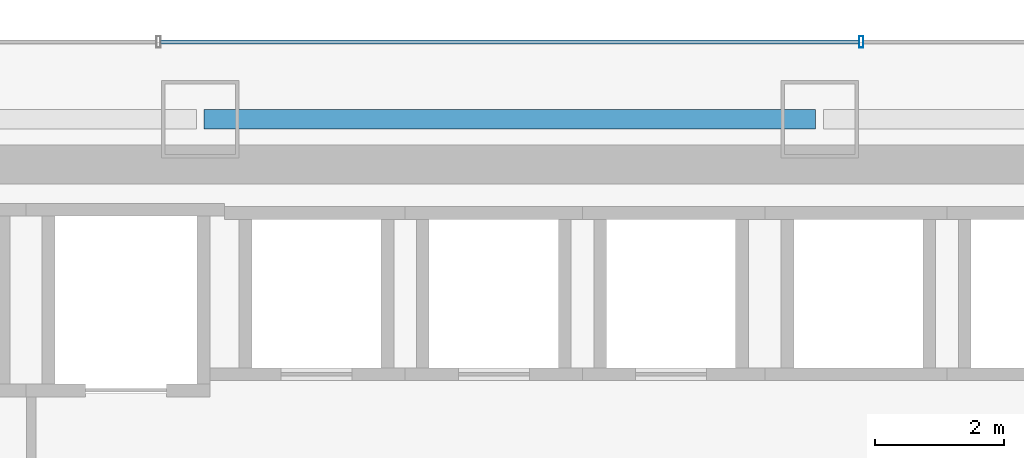
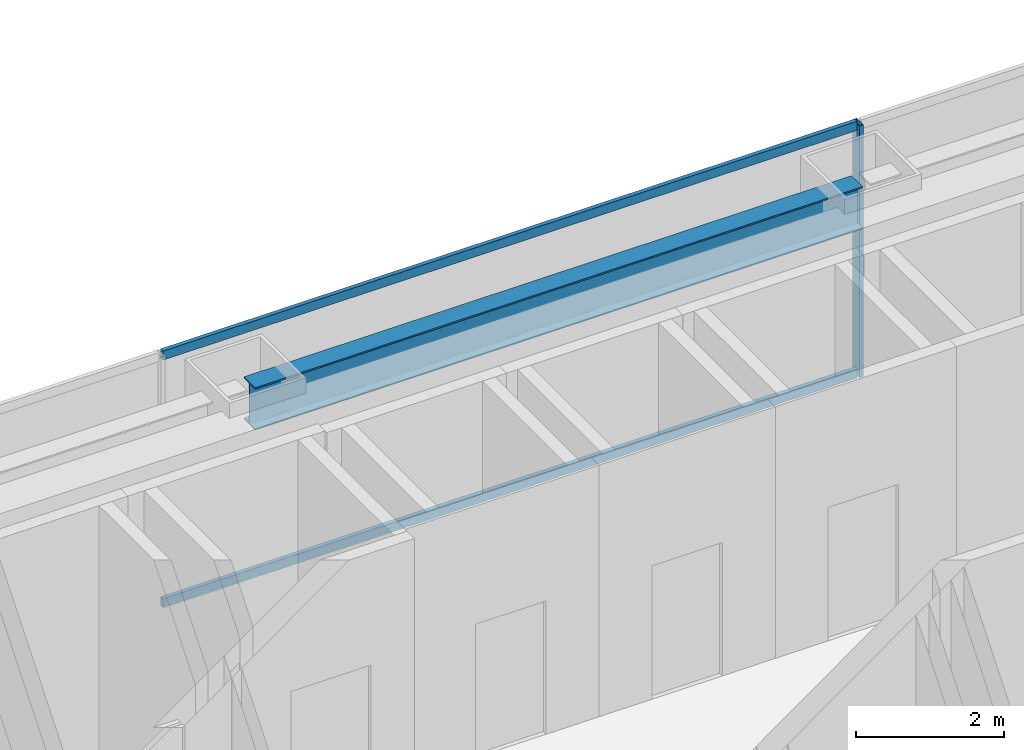
# One storey, part 28 of 47: 3 members, 1 beam, 1 element without a shape of its own.
"""IFC4 building model written with IfcOpenShell, lengths in metres."""

import ifcopenshell
import ifcopenshell.guid

model = None  # the IFC model being written
_history = None  # IfcOwnerHistory: only IFC2X3 demands one
_inside = {}  # id of a spatial element -> (the spatial element, [elements in it])
_under = {}  # id of a project, library or spatial element -> (it, [spatial elements below it])
_declared = {}  # id of a project -> (the project, [libraries it declares])
_typed = {}  # id of a type object -> (the type object, [elements of that type])
_made_of = {}  # id of a material, layer set ... -> (it, [elements and type objects made of it])


def new_model(schema):
    """Start an empty IFC model of exactly this schema.

    Asked for "IFC4X3", IfcOpenShell would pick the latest addendum, in which some entities
    have other attributes; the version numbers below select the first issue.
    IFC2X3 requires an IfcOwnerHistory on every rooted entity: one is made here for all.
    """
    global model, _history
    if schema == "IFC4X3":
        model = ifcopenshell.file(schema_version=(4, 3, 0, 0))
    else:
        model = ifcopenshell.file(schema=schema)
    _inside.clear()
    _under.clear()
    _declared.clear()
    _typed.clear()
    _made_of.clear()
    _history = None
    if model.schema == "IFC2X3":
        org = make("IfcOrganization", Name="unknown")
        user = make(
            "IfcPersonAndOrganization",
            ThePerson=make("IfcPerson", FamilyName="unknown"),
            TheOrganization=org,
        )
        app = make(
            "IfcApplication",
            ApplicationDeveloper=org,
            Version="unknown",
            ApplicationFullName="unknown",
            ApplicationIdentifier="unknown",
        )
        _history = make(
            "IfcOwnerHistory",
            OwningUser=user,
            OwningApplication=app,
            ChangeAction="ADDED",
            CreationDate=0,
        )
    return model


def make(cls, **values):
    """One entity of the class cls with the attributes given. An attribute that is None is left unset."""
    return model.create_entity(
        cls, **{name: value for name, value in values.items() if value is not None}
    )


def rooted(cls, **values):
    """An entity with a GlobalId (a new one), such as an element, a storey or a relation."""
    return make(cls, GlobalId=ifcopenshell.guid.new(), OwnerHistory=_history, **values)


def si_unit(unit_type, name, prefix=None):
    """IfcSIUnit, for example si_unit("LENGTHUNIT", "METRE", prefix="MILLI")."""
    return make("IfcSIUnit", UnitType=unit_type, Prefix=prefix, Name=name)


def assignment(units):
    """IfcUnitAssignment: the units of a project."""
    return None if units is None else make("IfcUnitAssignment", Units=units)


def point(xyz):
    """IfcCartesianPoint."""
    return None if xyz is None else make("IfcCartesianPoint", Coordinates=xyz)


def direction(xyz):
    """IfcDirection."""
    return None if xyz is None else make("IfcDirection", DirectionRatios=xyz)


def frame(location, z_axis=None, x_axis=None):
    """IfcAxis2Placement3D, a coordinate frame: its origin and axes. An axis left out is left unset."""
    return make(
        "IfcAxis2Placement3D",
        Location=point(location),
        Axis=direction(z_axis),
        RefDirection=direction(x_axis),
    )


def frame_2d(location, x_axis=None):
    """IfcAxis2Placement2D, a coordinate frame in the plane: its origin and x axis."""
    return make(
        "IfcAxis2Placement2D", Location=point(location), RefDirection=direction(x_axis)
    )


def origin():
    """The frame at (0, 0, 0) with its axes left unset."""
    return frame((0.0, 0.0, 0.0))


def origin_2d():
    """The frame at (0, 0) in the plane with its x axis left unset."""
    return frame_2d((0.0, 0.0))


def place(relative_to, where):
    """IfcLocalPlacement: puts the frame where relative to a parent placement (None: the world)."""
    return make(
        "IfcLocalPlacement", PlacementRelTo=relative_to, RelativePlacement=where
    )


def context(
    kind, dimensions, precision=None, world=None, true_north=None, identifier=None
):
    """IfcGeometricRepresentationContext, for example the 3D "Model" context."""
    return make(
        "IfcGeometricRepresentationContext",
        ContextIdentifier=identifier,
        ContextType=kind,
        CoordinateSpaceDimension=dimensions,
        Precision=precision,
        WorldCoordinateSystem=world,
        TrueNorth=true_north,
    )


def subcontext(parent, identifier, kind, view, scale=None):
    """IfcGeometricRepresentationSubContext, for example "Body" below "Model"."""
    return make(
        "IfcGeometricRepresentationSubContext",
        ContextIdentifier=identifier,
        ContextType=kind,
        ParentContext=parent,
        TargetScale=scale,
        TargetView=view,
    )


def project(units=None, contexts=None):
    """IfcProject with its units and contexts."""
    return rooted(
        "IfcProject",
        Name="project",
        RepresentationContexts=contexts,
        UnitsInContext=assignment(units),
    )


def spatial(cls, under=None, at=None, **own):
    """A site, building, storey or space (cls), placed at a placement, below another one or the project."""
    s = rooted(cls, ObjectPlacement=at, **own)
    if under is not None:
        _under.setdefault(under.id(), (under, []))[1].append(s)
    return s


def profile(cls, at=None, kind="AREA", **sizes):
    """A parametric profile (cls). Its sizes go by their IFC names, for example OverallWidth=200.0."""
    return make(cls, ProfileType=kind, Position=at, **sizes)


def hollow_rectangle(**sizes):
    """IfcRectangleHollowProfileDef."""
    return profile("IfcRectangleHollowProfileDef", **sizes)


def i_section(**sizes):
    """IfcIShapeProfileDef."""
    return profile("IfcIShapeProfileDef", **sizes)


def extrude(swept, where, along, depth):
    """IfcExtrudedAreaSolid: the profile swept, set in the frame where, extruded along a direction by depth."""
    return make(
        "IfcExtrudedAreaSolid",
        SweptArea=swept,
        Position=where,
        ExtrudedDirection=direction(along),
        Depth=depth,
    )


def shape(context_of_items, identifier, shape_type, items):
    """IfcShapeRepresentation: the items that make up one representation, for example the "Body"."""
    return make(
        "IfcShapeRepresentation",
        ContextOfItems=context_of_items,
        RepresentationIdentifier=identifier,
        RepresentationType=shape_type,
        Items=items,
    )


def material(Name=None, Category=None):
    """IfcMaterial."""
    return make("IfcMaterial", Name=Name, Category=Category)


def material_profile(
    of_material, cross_section, Name=None, Category=None, Priority=None
):
    """IfcMaterialProfile: a cross section and its material."""
    return make(
        "IfcMaterialProfile",
        Name=Name,
        Material=of_material,
        Profile=cross_section,
        Priority=Priority,
        Category=Category,
    )


def profile_set(profiles, Name=None, composite=None):
    """IfcMaterialProfileSet."""
    return make(
        "IfcMaterialProfileSet",
        Name=Name,
        MaterialProfiles=profiles,
        CompositeProfile=composite,
    )


def made_of(thing, what):
    """Note that an element or type object is made of a material, layer set ...; save() writes the relation."""
    if what is not None:
        _made_of.setdefault(what.id(), (what, []))[1].append(thing)
    return thing


def type_object(cls, material=None, **own):
    """A type object (cls), such as IfcWallType, which elements share."""
    return made_of(rooted(cls, **own), material)


def element(
    cls,
    number,
    at=None,
    inside=None,
    cuts=None,
    type_object=None,
    material=None,
    context=None,
    identifier="Body",
    shape_type=None,
    held_by="IfcProductDefinitionShape",
    body=None,
    shapes=None,
    **own,
):
    """One element of the class cls, such as IfcWall. Its Tag is "e" and its number.

    at: its placement. inside: the storey or other place that contains it. cuts: it is an
    opening in that element (IfcRelVoidsElement). A single representation is given by context,
    identifier, shape_type and body (its items); several are given by shapes. held_by: the class
    of the entity that holds the representations. save() writes the other relations.
    """
    e = rooted(cls, Tag="e%d" % number, ObjectPlacement=at, **own)
    if body is not None:
        shapes = [shape(context, identifier, shape_type, body)]
    if shapes is not None:
        e.Representation = make(held_by, Representations=shapes)
    if inside is not None:
        _inside.setdefault(inside.id(), (inside, []))[1].append(e)
    if cuts is not None:
        rooted(
            "IfcRelVoidsElement", RelatingBuildingElement=cuts, RelatedOpeningElement=e
        )
    if type_object is not None:
        _typed.setdefault(type_object.id(), (type_object, []))[1].append(e)
    return made_of(e, material)


def aggregate(whole, parts):
    """IfcRelAggregates: a whole, such as a stair, and the parts it consists of."""
    return rooted("IfcRelAggregates", RelatingObject=whole, RelatedObjects=parts)


def save(model, path):
    """Write the relations noted so far, then the file.

    IfcRelAggregates (storeys below a building ...), IfcRelContainedInSpatialStructure (elements
    in a storey), IfcRelDefinesByType, IfcRelAssociatesMaterial and IfcRelDeclares: one each for
    every whole, place, type object, material and project.
    """
    for whole, parts in _under.values():
        aggregate(whole, parts)
    for where, things in _inside.values():
        rooted(
            "IfcRelContainedInSpatialStructure",
            RelatedElements=things,
            RelatingStructure=where,
        )
    for kind, things in _typed.values():
        rooted("IfcRelDefinesByType", RelatedObjects=things, RelatingType=kind)
    for what, things in _made_of.values():
        rooted("IfcRelAssociatesMaterial", RelatedObjects=things, RelatingMaterial=what)
    for by, libraries in _declared.values():
        rooted("IfcRelDeclares", RelatingContext=by, RelatedDefinitions=libraries)
    model.write(path)


model = new_model("IFC4")

# Units and contexts
model_context = context("Model", 3, precision=1e-05, world=origin(), true_north=direction((0.0, 1.0)))
body_context = subcontext(model_context, "Body", "Model", "MODEL_VIEW")
ifc_project = project(units=[si_unit("LENGTHUNIT", "METRE"), si_unit("AREAUNIT", "SQUARE_METRE"), si_unit("VOLUMEUNIT", "CUBIC_METRE"), si_unit("PLANEANGLEUNIT", "RADIAN"), si_unit("MASSUNIT", "GRAM", prefix="KILO")], contexts=[model_context])

# Site, building, storey
site_placement = place(None, origin())
site = spatial("IfcSite", under=ifc_project, at=site_placement, CompositionType="ELEMENT")
building_placement = place(site_placement, origin())
building = spatial("IfcBuilding", under=site, at=building_placement, Name="Saevonmaru Cultural Tower", CompositionType="ELEMENT")
storey_placement = place(building_placement, frame((0.0, 0.0, 64.800048828125)))
storey = spatial("IfcBuildingStorey", under=building, at=storey_placement, Name="L13", CompositionType="ELEMENT", Elevation=64.800048828125)

# Beam
ifc_material_1 = material(Name="Steel SM355", Category="steel")
ifc_material_profile_1 = material_profile(ifc_material_1, i_section(OverallWidth=0.300048828125, OverallDepth=0.699951171875, WebThickness=0.012939453125, FlangeThickness=0.02392578125, FilletRadius=0.02587890625, at=origin_2d()), Name="H-700x300x13x24")
ifc_profile_set_1 = profile_set([ifc_material_profile_1], Name="Steel SM355")
beam_type = type_object("IfcBeamType", Name="BM-SP-H700", PredefinedType="SPANDREL", material=ifc_profile_set_1)
beam_placement = place(storey_placement, frame((25.260009765625, 54.800048828125, 3.800048828125), z_axis=(1.0, 0.0, 0.0), x_axis=(0.0, 1.0, 0.0)))
element("IfcBeam", 1, at=beam_placement, inside=storey, type_object=beam_type, Name="L13 North Spine Girder 3", PredefinedType="SPANDREL", context=body_context, shape_type="SweptSolid", body=[
    extrude(i_section(OverallWidth=0.300048828125, OverallDepth=0.699951171875, WebThickness=0.012939453125, FlangeThickness=0.02392578125, FilletRadius=0.02587890625, at=origin_2d()), origin(), (0.0, 0.0, 1.0), 9.47998046875),
])

# Curtain wall, members
ifc_material_2 = material(Name="Satin Bronze Anodised Aluminium", Category="aluminium")
curtain_wall_type = type_object("IfcCurtainWallType", Name="CW-TYP-A", PredefinedType="NOTDEFINED", material=ifc_material_2)
curtain_wall_placement = place(storey_placement, origin())
curtain_wall = element("IfcCurtainWall", 2, at=curtain_wall_placement, inside=storey, type_object=curtain_wall_type, Name="L13 North Spine Unitised Curtain Wall E10B", PredefinedType="NOTDEFINED")
ifc_material_profile_2 = material_profile(ifc_material_2, hollow_rectangle(XDim=0.06494140625, YDim=0.179931640625, WallThickness=0.00390625, at=origin_2d()), Name="ALU-MULL-180x65x4")
ifc_profile_set_2 = profile_set([ifc_material_profile_2], Name="Satin Bronze Anodised Aluminium")
member_type_1 = type_object("IfcMemberType", Name="ML-CW-180x65", PredefinedType="MULLION", material=ifc_profile_set_2)
member_1_placement = place(storey_placement, frame((35.44677734375, 56.0, 0.0), z_axis=(0.0, 0.0, 1.0), x_axis=(-1.0, 0.0, 0.0)))
member_1 = element("IfcMember", 3, at=member_1_placement, type_object=member_type_1, Name="CW-TW-L13-E10B mullion 2", PredefinedType="MULLION", context=body_context, shape_type="SweptSolid", body=[
    extrude(hollow_rectangle(XDim=0.06494140625, YDim=0.179931640625, WallThickness=0.00390625, at=origin_2d()), origin(), (0.0, 0.0, 1.0), 4.14990234375),
])
ifc_material_profile_3 = material_profile(ifc_material_2, hollow_rectangle(XDim=0.06494140625, YDim=0.14990234375, WallThickness=0.00390625, at=origin_2d()), Name="ALU-TRAN-150x65x4")
ifc_profile_set_3 = profile_set([ifc_material_profile_3], Name="Satin Bronze Anodised Aluminium")
member_type_2 = type_object("IfcMemberType", Name="TR-CW-150x65", PredefinedType="USERDEFINED", material=ifc_profile_set_3)
member_2_placement = place(storey_placement, frame((35.4140625, 56.0, 0.032470703125), z_axis=(-1.0, 0.0, 0.0), x_axis=(0.0, -1.0, 0.0)))
member_2 = element("IfcMember", 4, at=member_2_placement, type_object=member_type_2, Name="CW-TW-L13-E10B transom 2.1", ObjectType="TRANSOM", PredefinedType="USERDEFINED", context=body_context, shape_type="SweptSolid", body=[
    extrude(hollow_rectangle(XDim=0.06494140625, YDim=0.14990234375, WallThickness=0.00390625, at=origin_2d()), origin(), (0.0, 0.0, 1.0), 10.828125),
])
member_3_placement = place(storey_placement, frame((35.4140625, 56.0, 4.117431640625), z_axis=(-1.0, 0.0, 0.0), x_axis=(0.0, -1.0, 0.0)))
member_3 = element("IfcMember", 5, at=member_3_placement, type_object=member_type_2, Name="CW-TW-L13-E10B transom 2.2", ObjectType="TRANSOM", PredefinedType="USERDEFINED", context=body_context, shape_type="SweptSolid", body=[
    extrude(hollow_rectangle(XDim=0.06494140625, YDim=0.14990234375, WallThickness=0.00390625, at=origin_2d()), origin(), (0.0, 0.0, 1.0), 10.828125),
])
aggregate(curtain_wall, [member_1, member_2, member_3])

save(model, "model.ifc")
